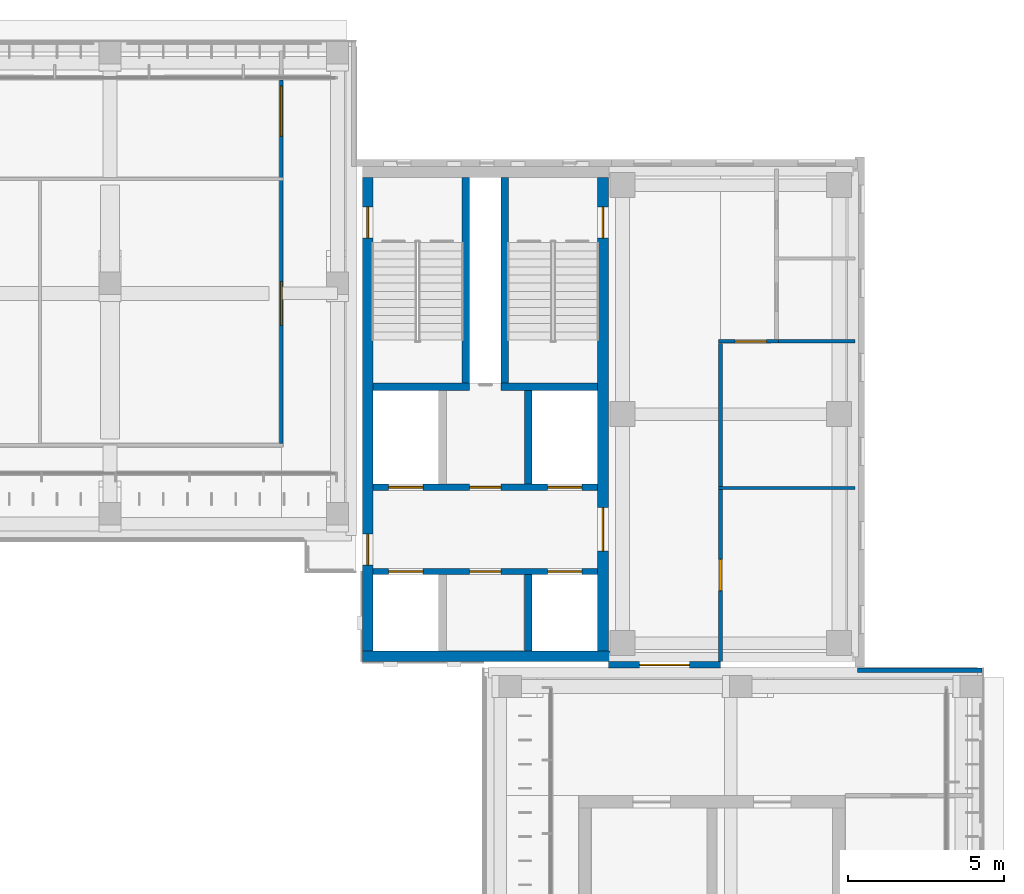
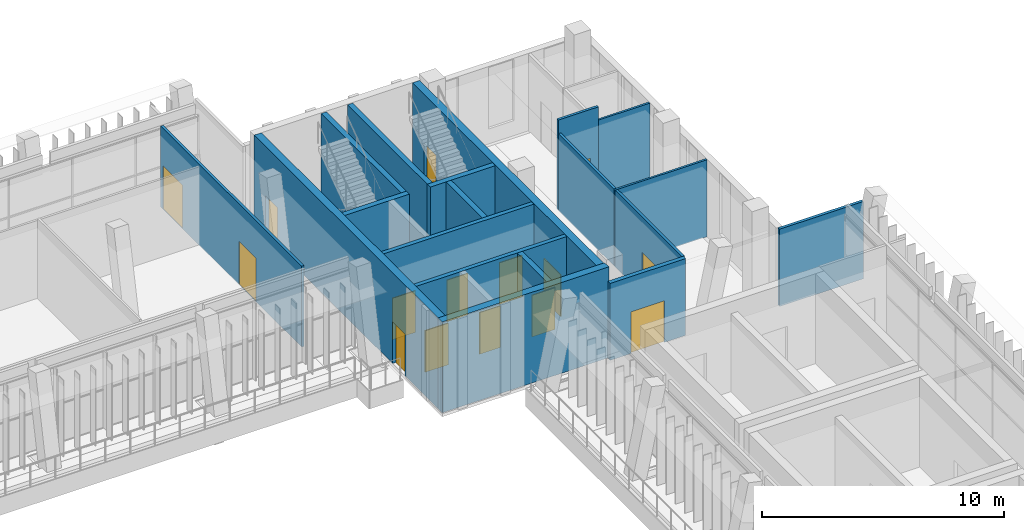
# One storey, part 50 of 74: 18 walls, 15 doors, 15 openings.
"""IFC4 building model written with IfcOpenShell, lengths in metres."""

from ifc_helpers import new_model, si_unit, direction, frame, frame_2d, origin, place, context, subcontext, project, spatial, rectangle, extrude, material, layer, layer_set, type_object, element, fill, save


model = new_model("IFC4")

# Units and contexts
model_context = context("Model", 3, precision=1e-05, world=origin(), true_north=direction((0.0, 1.0)))
body_context = subcontext(model_context, "Body", "Model", "MODEL_VIEW")
ifc_project = project(units=[si_unit("LENGTHUNIT", "METRE"), si_unit("AREAUNIT", "SQUARE_METRE"), si_unit("VOLUMEUNIT", "CUBIC_METRE"), si_unit("PLANEANGLEUNIT", "RADIAN"), si_unit("MASSUNIT", "GRAM", prefix="KILO")], contexts=[model_context])

# Site, building, storey
site_placement = place(None, origin())
site = spatial("IfcSite", under=ifc_project, at=site_placement, CompositionType="ELEMENT")
building_placement = place(site_placement, origin())
building = spatial("IfcBuilding", under=site, at=building_placement, Name="Lantern Court Media Centre", CompositionType="ELEMENT")
storey_placement = place(building_placement, frame((0.0, 0.0, 19.199951171875)))
storey = spatial("IfcBuildingStorey", under=building, at=storey_placement, Name="L04", CompositionType="ELEMENT", Elevation=19.199951171875)

# Wall, openings, doors
ifc_material_1 = material(Name="Gypsum board partition")
ifc_layer_1 = layer(ifc_material_1, 0.125)
ifc_layer_set_1 = layer_set([ifc_layer_1], Name="Gypsum board partition")
wall_type_1 = type_object("IfcWallType", Name="Corridor partition 125", PredefinedType="PARTITIONING", material=ifc_layer_set_1)
wall_1_placement = place(storey_placement, frame((77.5, 103.112548828125, 0.0), z_axis=(0.0, 0.0, 1.0), x_axis=(0.0, 1.0, 0.0)))
wall_1 = element("IfcWall", 1, at=wall_1_placement, inside=storey, type_object=wall_type_1, Name="L04 partition 003", PredefinedType="PARTITIONING", context=body_context, shape_type="SweptSolid", body=[
    extrude(rectangle(XDim=11.657470703125, YDim=0.125, at=frame_2d((5.82861328125, 0.0))), origin(), (0.0, 0.0, 1.0), 4.080078125),
])
opening_1_placement = place(wall_1_placement, frame((9.859619140625, 0.0, 0.0)))
opening_1 = element("IfcOpeningElement", 2, at=opening_1_placement, cuts=wall_1, Name="Opening L04-009", PredefinedType="OPENING", context=body_context, shape_type="SweptSolid", body=[
    extrude(rectangle(XDim=1.60009765625, YDim=2.199951171875, at=frame_2d((0.800048828125, 1.10009765625))), frame((0.0, 0.072509765625, 0.0), z_axis=(0.0, -1.0, 0.0), x_axis=(1.0, 0.0, 0.0)), (0.0, 0.0, 1.0), 0.14501953125),
])
opening_2_placement = place(wall_1_placement, frame((3.78759765625, 0.0, 0.0)))
opening_2 = element("IfcOpeningElement", 3, at=opening_2_placement, cuts=wall_1, Name="Opening L04-013", PredefinedType="OPENING", context=body_context, shape_type="SweptSolid", body=[
    extrude(rectangle(XDim=1.39990234375, YDim=2.199951171875, at=frame_2d((0.699951171875, 1.10009765625))), frame((0.0, 0.072509765625, 0.0), z_axis=(0.0, -1.0, 0.0), x_axis=(1.0, 0.0, 0.0)), (0.0, 0.0, 1.0), 0.14501953125),
])
ifc_material_2 = material(Name="Solid-core timber door leaf", Category="wood")
door_type_1 = type_object("IfcDoorType", Name="Double door 1400x2200", OperationType="NOTDEFINED", PredefinedType="DOOR", material=ifc_material_2)
door_1_placement = place(opening_2_placement, origin())
door_1 = element("IfcDoor", 4, at=door_1_placement, inside=storey, type_object=door_type_1, Name="L04 Conference Room 01 door", OperationType="DOUBLE_DOOR_SINGLE_SWING", OverallHeight=2.199951171875, OverallWidth=1.39990234375, PredefinedType="DOOR", context=body_context, shape_type="SweptSolid", body=[
    extrude(rectangle(XDim=1.39990234375, YDim=2.199951171875, at=frame_2d((0.699951171875, 1.10009765625))), frame((0.0, 0.02490234375, 0.0), z_axis=(0.0, -1.0, 0.0), x_axis=(1.0, 0.0, 0.0)), (0.0, 0.0, 1.0), 0.050048828125),
])
fill(opening_2, door_1)
door_type_2 = type_object("IfcDoorType", Name="Double door 1600x2200", OperationType="NOTDEFINED", PredefinedType="DOOR", material=ifc_material_2)
door_2_placement = place(opening_1_placement, frame((1.60009765625, 0.0, 0.0), z_axis=(0.0, 0.0, 1.0), x_axis=(-1.0, 0.0, 0.0)))
door_2 = element("IfcDoor", 5, at=door_2_placement, inside=storey, type_object=door_type_2, Name="L04 Preview Theatre Foyer door", OperationType="DOUBLE_DOOR_SINGLE_SWING", OverallHeight=2.199951171875, OverallWidth=1.60009765625, PredefinedType="DOOR", context=body_context, shape_type="SweptSolid", body=[
    extrude(rectangle(XDim=1.60009765625, YDim=2.199951171875, at=frame_2d((0.800048828125, 1.10009765625))), frame((0.0, 0.02490234375, 0.0), z_axis=(0.0, -1.0, 0.0), x_axis=(1.0, 0.0, 0.0)), (0.0, 0.0, 1.0), 0.050048828125),
])
fill(opening_1, door_2)

# Wall, opening, door
wall_2_placement = place(storey_placement, frame((91.60009765625, 96.10009765625, 0.0), z_axis=(0.0, 0.0, 1.0), x_axis=(0.0, 1.0, 0.0)))
wall_2 = element("IfcWall", 6, at=wall_2_placement, inside=storey, type_object=wall_type_1, Name="L04 partition 049", PredefinedType="PARTITIONING", context=body_context, shape_type="SweptSolid", body=[
    extrude(rectangle(XDim=10.22314453125, YDim=0.125, at=frame_2d((5.111572265625, 0.0))), origin(), (0.0, 0.0, 1.0), 3.880126953125),
])
opening_3_placement = place(wall_2_placement, frame((2.28564453125, 0.0, 0.0)))
opening_3 = element("IfcOpeningElement", 7, at=opening_3_placement, cuts=wall_2, Name="Opening L04-042", PredefinedType="OPENING", context=body_context, shape_type="SweptSolid", body=[
    extrude(rectangle(XDim=1.0, YDim=2.10009765625, at=frame_2d((0.5, 1.050048828125))), frame((0.0, 0.072509765625, 0.0), z_axis=(0.0, -1.0, 0.0), x_axis=(1.0, 0.0, 0.0)), (0.0, 0.0, 1.0), 0.14501953125),
])
door_type_3 = type_object("IfcDoorType", Name="Single door 1000x2100", OperationType="NOTDEFINED", PredefinedType="DOOR", material=ifc_material_2)
door_3_placement = place(opening_3_placement, frame((1.0, 0.0, 0.0), z_axis=(0.0, 0.0, 1.0), x_axis=(-1.0, 0.0, 0.0)))
door_3 = element("IfcDoor", 8, at=door_3_placement, inside=storey, type_object=door_type_3, Name="L04 Engineering Workshop door", OperationType="SINGLE_SWING_LEFT", OverallHeight=2.10009765625, OverallWidth=1.0, PredefinedType="DOOR", context=body_context, shape_type="SweptSolid", body=[
    extrude(rectangle(XDim=1.0, YDim=2.10009765625, at=frame_2d((0.5, 1.050048828125))), frame((0.0, 0.02490234375, 0.0), z_axis=(0.0, -1.0, 0.0), x_axis=(1.0, 0.0, 0.0)), (0.0, 0.0, 1.0), 0.050048828125),
])
fill(opening_3, door_3)

wall_3_placement = place(storey_placement, frame((91.53759765625, 106.385986328125, 0.0), z_axis=(0.0, 0.0, 1.0), x_axis=(1.0, 0.0, 0.0)))
wall_3 = element("IfcWall", 9, at=wall_3_placement, inside=storey, type_object=wall_type_1, Name="L04 partition 061", PredefinedType="PARTITIONING", context=body_context, shape_type="SweptSolid", body=[
    extrude(rectangle(XDim=1.9248046875, YDim=0.125, at=frame_2d((0.96240234375, 0.0))), origin(), (0.0, 0.0, 1.0), 4.56005859375),
])
opening_4_placement = place(wall_3_placement, frame((0.53515625, 0.0, 0.0)))
opening_4 = element("IfcOpeningElement", 10, at=opening_4_placement, cuts=wall_3, Name="Opening L04-041", PredefinedType="OPENING", context=body_context, shape_type="SweptSolid", body=[
    extrude(rectangle(XDim=1.0, YDim=2.10009765625, at=frame_2d((0.5, 1.050048828125))), frame((0.0, 0.072509765625, 0.0), z_axis=(0.0, -1.0, 0.0), x_axis=(1.0, 0.0, 0.0)), (0.0, 0.0, 1.0), 0.14501953125),
])
door_4_placement = place(opening_4_placement, frame((1.0, 0.0, 0.0), z_axis=(0.0, 0.0, 1.0), x_axis=(-1.0, 0.0, 0.0)))
door_4 = element("IfcDoor", 11, at=door_4_placement, inside=storey, type_object=door_type_3, Name="L04 Broadcast Programming Office 05 door", OperationType="SINGLE_SWING_RIGHT", OverallHeight=2.10009765625, OverallWidth=1.0, PredefinedType="DOOR", context=body_context, shape_type="SweptSolid", body=[
    extrude(rectangle(XDim=1.0, YDim=2.10009765625, at=frame_2d((0.5, 1.050048828125))), frame((0.0, 0.02490234375, 0.0), z_axis=(0.0, -1.0, 0.0), x_axis=(1.0, 0.0, 0.0)), (0.0, 0.0, 1.0), 0.050048828125),
])
fill(opening_4, door_4)

# Wall, openings, doors
ifc_material_3 = material(Name="Concrete C40", Category="concrete")
ifc_layer_2 = layer(ifc_material_3, 0.199951171875)
ifc_layer_set_2 = layer_set([ifc_layer_2], Name="Concrete C40")
wall_type_2 = type_object("IfcWallType", Name="Fire lobby wall 200", PredefinedType="SOLIDWALL", material=ifc_layer_set_2)
wall_4_placement = place(storey_placement, frame((87.64990234375, 101.699951171875, 0.0), z_axis=(0.0, 0.0, 1.0), x_axis=(-1.0, 0.0, 0.0)))
wall_4 = element("IfcWall", 12, at=wall_4_placement, inside=storey, type_object=wall_type_2, Name="L04 NE FW1", PredefinedType="SOLIDWALL", context=body_context, shape_type="SweptSolid", body=[
    extrude(rectangle(XDim=7.199951171875, YDim=0.199951171875, at=frame_2d((3.60009765625, 0.0))), origin(), (0.0, 0.0, 1.0), 4.550048828125),
])
opening_5_placement = place(wall_4_placement, frame((0.5, 0.0, 0.0)))
opening_5 = element("IfcOpeningElement", 13, at=opening_5_placement, cuts=wall_4, Name="Opening LD-NEFF-L04", PredefinedType="OPENING", context=body_context, shape_type="SweptSolid", body=[
    extrude(rectangle(XDim=1.10009765625, YDim=2.10009765625, at=frame_2d((0.550048828125, 1.050048828125))), frame((0.0, 0.10986328125, 0.0), z_axis=(0.0, -1.0, 0.0), x_axis=(1.0, 0.0, 0.0)), (0.0, 0.0, 1.0), 0.219970703125),
])
opening_6_placement = place(wall_4_placement, frame((5.60009765625, 0.0, 0.0)))
opening_6 = element("IfcOpeningElement", 14, at=opening_6_placement, cuts=wall_4, Name="Opening LD-NEP1-L04", PredefinedType="OPENING", context=body_context, shape_type="SweptSolid", body=[
    extrude(rectangle(XDim=1.10009765625, YDim=2.10009765625, at=frame_2d((0.550048828125, 1.050048828125))), frame((0.0, 0.10986328125, 0.0), z_axis=(0.0, -1.0, 0.0), x_axis=(1.0, 0.0, 0.0)), (0.0, 0.0, 1.0), 0.219970703125),
])
opening_7_placement = place(wall_4_placement, frame((3.10009765625, 0.0, 0.0)))
opening_7 = element("IfcOpeningElement", 15, at=opening_7_placement, cuts=wall_4, Name="Opening NE-L04-03", PredefinedType="OPENING", context=body_context, shape_type="SweptSolid", body=[
    extrude(rectangle(XDim=1.0, YDim=2.10009765625, at=frame_2d((0.5, 1.050048828125))), frame((0.0, 0.10986328125, 0.0), z_axis=(0.0, -1.0, 0.0), x_axis=(1.0, 0.0, 0.0)), (0.0, 0.0, 1.0), 0.219970703125),
])
ifc_material_4 = material(Name="Steel door leaf", Category="steel")
door_type_4 = type_object("IfcDoorType", Name="Lift landing door 1100x2100", OperationType="DOUBLE_DOOR_SLIDING", PredefinedType="DOOR", material=ifc_material_4)
door_5_placement = place(opening_5_placement, origin())
door_5 = element("IfcDoor", 16, at=door_5_placement, inside=storey, type_object=door_type_4, Name="L04 NE lift FF landing door", OperationType="DOUBLE_DOOR_SLIDING", OverallHeight=2.10009765625, OverallWidth=1.10009765625, PredefinedType="DOOR", context=body_context, shape_type="SweptSolid", body=[
    extrude(rectangle(XDim=1.10009765625, YDim=2.10009765625, at=frame_2d((0.550048828125, 1.050048828125))), frame((0.0, 0.02490234375, 0.0), z_axis=(0.0, -1.0, 0.0), x_axis=(1.0, 0.0, 0.0)), (0.0, 0.0, 1.0), 0.050048828125),
])
fill(opening_5, door_5)
door_6_placement = place(opening_6_placement, origin())
door_6 = element("IfcDoor", 17, at=door_6_placement, inside=storey, type_object=door_type_4, Name="L04 NE lift P1 landing door", OperationType="DOUBLE_DOOR_SLIDING", OverallHeight=2.10009765625, OverallWidth=1.10009765625, PredefinedType="DOOR", context=body_context, shape_type="SweptSolid", body=[
    extrude(rectangle(XDim=1.10009765625, YDim=2.10009765625, at=frame_2d((0.550048828125, 1.050048828125))), frame((0.0, 0.02490234375, 0.0), z_axis=(0.0, -1.0, 0.0), x_axis=(1.0, 0.0, 0.0)), (0.0, 0.0, 1.0), 0.050048828125),
])
fill(opening_6, door_6)
door_type_5 = type_object("IfcDoorType", Name="Service door 1000x2100", OperationType="NOTDEFINED", PredefinedType="DOOR", material=ifc_material_4)
door_7_placement = place(opening_7_placement, origin())
door_7 = element("IfcDoor", 18, at=door_7_placement, inside=storey, type_object=door_type_5, Name="L04 NE services riser door", OperationType="SINGLE_SWING_LEFT", OverallHeight=2.10009765625, OverallWidth=1.0, PredefinedType="DOOR", context=body_context, shape_type="SweptSolid", body=[
    extrude(rectangle(XDim=1.0, YDim=2.10009765625, at=frame_2d((0.5, 1.050048828125))), frame((0.0, 0.02490234375, 0.0), z_axis=(0.0, -1.0, 0.0), x_axis=(1.0, 0.0, 0.0)), (0.0, 0.0, 1.0), 0.050048828125),
])
fill(opening_7, door_7)

wall_5_placement = place(storey_placement, frame((87.64990234375, 99.0, 0.0), z_axis=(0.0, 0.0, 1.0), x_axis=(-1.0, 0.0, 0.0)))
wall_5 = element("IfcWall", 19, at=wall_5_placement, inside=storey, type_object=wall_type_2, Name="L04 NE FW2", PredefinedType="SOLIDWALL", context=body_context, shape_type="SweptSolid", body=[
    extrude(rectangle(XDim=7.199951171875, YDim=0.199951171875, at=frame_2d((3.60009765625, 0.0))), origin(), (0.0, 0.0, 1.0), 4.550048828125),
])
opening_8_placement = place(wall_5_placement, frame((0.5, 0.0, 0.0)))
opening_8 = element("IfcOpeningElement", 20, at=opening_8_placement, cuts=wall_5, Name="Opening LD-NEP2-L04", PredefinedType="OPENING", context=body_context, shape_type="SweptSolid", body=[
    extrude(rectangle(XDim=1.10009765625, YDim=2.10009765625, at=frame_2d((0.550048828125, 1.050048828125))), frame((0.0, 0.10986328125, 0.0), z_axis=(0.0, -1.0, 0.0), x_axis=(1.0, 0.0, 0.0)), (0.0, 0.0, 1.0), 0.219970703125),
])
opening_9_placement = place(wall_5_placement, frame((5.60009765625, 0.0, 0.0)))
opening_9 = element("IfcOpeningElement", 21, at=opening_9_placement, cuts=wall_5, Name="Opening LD-NEP3-L04", PredefinedType="OPENING", context=body_context, shape_type="SweptSolid", body=[
    extrude(rectangle(XDim=1.10009765625, YDim=2.10009765625, at=frame_2d((0.550048828125, 1.050048828125))), frame((0.0, 0.10986328125, 0.0), z_axis=(0.0, -1.0, 0.0), x_axis=(1.0, 0.0, 0.0)), (0.0, 0.0, 1.0), 0.219970703125),
])
opening_10_placement = place(wall_5_placement, frame((3.10009765625, 0.0, 0.0)))
opening_10 = element("IfcOpeningElement", 22, at=opening_10_placement, cuts=wall_5, Name="Opening NE-L04-04", PredefinedType="OPENING", context=body_context, shape_type="SweptSolid", body=[
    extrude(rectangle(XDim=1.0, YDim=2.10009765625, at=frame_2d((0.5, 1.050048828125))), frame((0.0, 0.10986328125, 0.0), z_axis=(0.0, -1.0, 0.0), x_axis=(1.0, 0.0, 0.0)), (0.0, 0.0, 1.0), 0.219970703125),
])
door_8_placement = place(opening_8_placement, frame((1.10009765625, 0.0, 0.0), z_axis=(0.0, 0.0, 1.0), x_axis=(-1.0, 0.0, 0.0)))
door_8 = element("IfcDoor", 23, at=door_8_placement, inside=storey, type_object=door_type_4, Name="L04 NE lift P2 landing door", OperationType="DOUBLE_DOOR_SLIDING", OverallHeight=2.10009765625, OverallWidth=1.10009765625, PredefinedType="DOOR", context=body_context, shape_type="SweptSolid", body=[
    extrude(rectangle(XDim=1.10009765625, YDim=2.10009765625, at=frame_2d((0.550048828125, 1.050048828125))), frame((0.0, 0.02490234375, 0.0), z_axis=(0.0, -1.0, 0.0), x_axis=(1.0, 0.0, 0.0)), (0.0, 0.0, 1.0), 0.050048828125),
])
fill(opening_8, door_8)
door_9_placement = place(opening_9_placement, frame((1.10009765625, 0.0, 0.0), z_axis=(0.0, 0.0, 1.0), x_axis=(-1.0, 0.0, 0.0)))
door_9 = element("IfcDoor", 24, at=door_9_placement, inside=storey, type_object=door_type_4, Name="L04 NE lift P3 landing door", OperationType="DOUBLE_DOOR_SLIDING", OverallHeight=2.10009765625, OverallWidth=1.10009765625, PredefinedType="DOOR", context=body_context, shape_type="SweptSolid", body=[
    extrude(rectangle(XDim=1.10009765625, YDim=2.10009765625, at=frame_2d((0.550048828125, 1.050048828125))), frame((0.0, 0.02490234375, 0.0), z_axis=(0.0, -1.0, 0.0), x_axis=(1.0, 0.0, 0.0)), (0.0, 0.0, 1.0), 0.050048828125),
])
fill(opening_9, door_9)
door_10_placement = place(opening_10_placement, frame((1.0, 0.0, 0.0), z_axis=(0.0, 0.0, 1.0), x_axis=(-1.0, 0.0, 0.0)))
door_10 = element("IfcDoor", 25, at=door_10_placement, inside=storey, type_object=door_type_5, Name="L04 NE accessible WC door", OperationType="SINGLE_SWING_RIGHT", OverallHeight=2.10009765625, OverallWidth=1.0, PredefinedType="DOOR", context=body_context, shape_type="SweptSolid", body=[
    extrude(rectangle(XDim=1.0, YDim=2.10009765625, at=frame_2d((0.5, 1.050048828125))), frame((0.0, 0.02490234375, 0.0), z_axis=(0.0, -1.0, 0.0), x_axis=(1.0, 0.0, 0.0)), (0.0, 0.0, 1.0), 0.050048828125),
])
fill(opening_10, door_10)

# Wall
ifc_material_5 = material(Name="Honed limestone cladding on blockwork", Category="masonry")
ifc_layer_3 = layer(ifc_material_5, 0.139892578125)
ifc_layer_set_3 = layer_set([ifc_layer_3], Name="Honed limestone cladding on blockwork")
wall_type_3 = type_object("IfcWallType", Name="Limestone closure wall 140", PredefinedType="SOLIDWALL", material=ifc_layer_set_3)
wall_6_placement = place(storey_placement, frame((96.0, 95.830078125, 0.0), z_axis=(0.0, 0.0, 1.0), x_axis=(1.0, 0.0, 0.0)))
element("IfcWall", 26, at=wall_6_placement, inside=storey, type_object=wall_type_3, Name="Limestone closure wall E-NE L04", PredefinedType="SOLIDWALL", context=body_context, shape_type="SweptSolid", body=[
    extrude(rectangle(XDim=4.0, YDim=0.139892578125, at=frame_2d((2.0, 0.0))), origin(), (0.0, 0.0, 1.0), 3.900146484375),
])

# Wall, opening, door
ifc_material_6 = material(Name="Fire-rated gypsum board")
ifc_layer_4 = layer(ifc_material_6, 0.199951171875)
ifc_layer_set_4 = layer_set([ifc_layer_4], Name="Fire-rated gypsum board")
wall_type_4 = type_object("IfcWallType", Name="Movement-joint compartment wall 200", PredefinedType="PARTITIONING", material=ifc_layer_set_4)
wall_7_placement = place(storey_placement, frame((88.0, 96.0, 0.0), z_axis=(0.0, 0.0, 1.0), x_axis=(1.0, 0.0, 0.0)))
wall_7 = element("IfcWall", 27, at=wall_7_placement, inside=storey, type_object=wall_type_4, Name="L04 movement-joint wall 18", PredefinedType="PARTITIONING", context=body_context, shape_type="SweptSolid", body=[
    extrude(rectangle(XDim=3.60009765625, YDim=0.199951171875, at=frame_2d((1.800048828125, 0.0))), origin(), (0.0, 0.0, 1.0), 3.880126953125),
])
opening_11_placement = place(wall_7_placement, frame((1.0, 0.0, 0.0)))
opening_11 = element("IfcOpeningElement", 28, at=opening_11_placement, cuts=wall_7, Name="Opening L04-J18", PredefinedType="OPENING", context=body_context, shape_type="SweptSolid", body=[
    extrude(rectangle(XDim=1.60009765625, YDim=2.10009765625, at=frame_2d((0.800048828125, 1.050048828125))), frame((0.0, 0.10986328125, 0.0), z_axis=(0.0, -1.0, 0.0), x_axis=(1.0, 0.0, 0.0)), (0.0, 0.0, 1.0), 0.219970703125),
])
door_type_6 = type_object("IfcDoorType", Name="Movement-joint fire door pair 1600x2100", OperationType="NOTDEFINED", PredefinedType="DOOR", material=ifc_material_4)
door_11_placement = place(opening_11_placement, origin())
door_11 = element("IfcDoor", 29, at=door_11_placement, inside=storey, type_object=door_type_6, Name="L04 bar end lobby door 18", OperationType="DOUBLE_DOOR_SINGLE_SWING", OverallHeight=2.10009765625, OverallWidth=1.60009765625, PredefinedType="DOOR", context=body_context, shape_type="SweptSolid", body=[
    extrude(rectangle(XDim=1.60009765625, YDim=2.10009765625, at=frame_2d((0.800048828125, 1.050048828125))), frame((0.0, 0.02490234375, 0.0), z_axis=(0.0, -1.0, 0.0), x_axis=(1.0, 0.0, 0.0)), (0.0, 0.0, 1.0), 0.050048828125),
])
fill(opening_11, door_11)

# Walls
ifc_layer_5 = layer(ifc_material_1, 0.10009765625)
ifc_layer_set_5 = layer_set([ifc_layer_5], Name="Gypsum board partition")
wall_type_5 = type_object("IfcWallType", Name="Partition 100", PredefinedType="PARTITIONING", material=ifc_layer_set_5)
wall_8_placement = place(storey_placement, frame((91.53759765625, 101.6708984375, 0.0), z_axis=(0.0, 0.0, 1.0), x_axis=(1.0, 0.0, 0.0)))
element("IfcWall", 30, at=wall_8_placement, inside=storey, type_object=wall_type_5, Name="L04 partition 060", PredefinedType="PARTITIONING", context=body_context, shape_type="SweptSolid", body=[
    extrude(rectangle(XDim=4.38232421875, YDim=0.10009765625, at=frame_2d((2.191162109375, 0.0))), origin(), (0.0, 0.0, 1.0), 3.880126953125),
])
wall_9_placement = place(storey_placement, frame((93.33740234375, 106.385986328125, 0.0), z_axis=(0.0, 0.0, 1.0), x_axis=(1.0, 0.0, 0.0)))
element("IfcWall", 31, at=wall_9_placement, inside=storey, type_object=wall_type_5, Name="L04 partition 062", PredefinedType="PARTITIONING", context=body_context, shape_type="SweptSolid", body=[
    extrude(rectangle(XDim=2.58251953125, YDim=0.10009765625, at=frame_2d((1.291259765625, 0.0))), origin(), (0.0, 0.0, 1.0), 3.880126953125),
])
ifc_layer_6 = layer(ifc_material_3, 0.35009765625)
ifc_layer_set_6 = layer_set([ifc_layer_6], Name="Concrete C40")
wall_type_6 = type_object("IfcWallType", Name="RC CORE WALL 350", PredefinedType="SHEAR", material=ifc_layer_set_6)
wall_10_placement = place(storey_placement, frame((80.10009765625, 96.27490234375, 0.0), z_axis=(0.0, 0.0, 1.0), x_axis=(1.0, 0.0, 0.0)))
element("IfcWall", 32, at=wall_10_placement, inside=storey, type_object=wall_type_6, Name="WC-NE-L04-S", PredefinedType="SHEAR", context=body_context, shape_type="SweptSolid", body=[
    extrude(rectangle(XDim=7.949951171875, YDim=0.35009765625, at=frame_2d((3.97509765625, 0.0))), origin(), (0.0, 0.0, 1.0), 4.580078125),
])

# Wall, openings, doors
wall_11_placement = place(storey_placement, frame((80.27490234375, 96.449951171875, 0.0), z_axis=(0.0, 0.0, 1.0), x_axis=(0.0, 1.0, 0.0)))
wall_11 = element("IfcWall", 33, at=wall_11_placement, inside=storey, type_object=wall_type_6, Name="WC-NE-L04-W", PredefinedType="SHEAR", context=body_context, shape_type="SweptSolid", body=[
    extrude(rectangle(XDim=15.199951171875, YDim=0.35009765625, at=frame_2d((7.60009765625, 0.0))), origin(), (0.0, 0.0, 1.0), 4.580078125),
])
opening_12_placement = place(wall_11_placement, frame((13.25, 0.0, 0.0)))
opening_12 = element("IfcOpeningElement", 34, at=opening_12_placement, cuts=wall_11, Name="Opening NE-L04-02", PredefinedType="OPENING", context=body_context, shape_type="SweptSolid", body=[
    extrude(rectangle(XDim=1.0, YDim=2.10009765625, at=frame_2d((0.5, 1.050048828125))), frame((0.0, 0.18505859375, 0.0), z_axis=(0.0, -1.0, 0.0), x_axis=(1.0, 0.0, 0.0)), (0.0, 0.0, 1.0), 0.3701171875),
])
opening_13_placement = place(wall_11_placement, frame((2.75, 0.0, 0.0)))
opening_13 = element("IfcOpeningElement", 35, at=opening_13_placement, cuts=wall_11, Name="Opening NE-L04-06", PredefinedType="OPENING", context=body_context, shape_type="SweptSolid", body=[
    extrude(rectangle(XDim=1.0, YDim=2.10009765625, at=frame_2d((0.5, 1.050048828125))), frame((0.0, 0.18505859375, 0.0), z_axis=(0.0, -1.0, 0.0), x_axis=(1.0, 0.0, 0.0)), (0.0, 0.0, 1.0), 0.3701171875),
])
door_type_7 = type_object("IfcDoorType", Name="Lift lobby single door 1000x2100", OperationType="NOTDEFINED", PredefinedType="DOOR", material=ifc_material_4)
door_12_placement = place(opening_13_placement, origin())
door_12 = element("IfcDoor", 36, at=door_12_placement, inside=storey, type_object=door_type_7, Name="L04 NE lift lobby east door", OperationType="SINGLE_SWING_RIGHT", OverallHeight=2.10009765625, OverallWidth=1.0, PredefinedType="DOOR", context=body_context, shape_type="SweptSolid", body=[
    extrude(rectangle(XDim=1.0, YDim=2.10009765625, at=frame_2d((0.5, 1.050048828125))), frame((0.0, 0.02490234375, 0.0), z_axis=(0.0, -1.0, 0.0), x_axis=(1.0, 0.0, 0.0)), (0.0, 0.0, 1.0), 0.050048828125),
])
fill(opening_13, door_12)
door_type_8 = type_object("IfcDoorType", Name="Stair door 1000x2100", OperationType="NOTDEFINED", PredefinedType="DOOR", material=ifc_material_4)
door_13_placement = place(opening_12_placement, origin())
door_13 = element("IfcDoor", 37, at=door_13_placement, inside=storey, type_object=door_type_8, Name="L04 NE stair B door", OperationType="SINGLE_SWING_RIGHT", OverallHeight=2.10009765625, OverallWidth=1.0, PredefinedType="DOOR", context=body_context, shape_type="SweptSolid", body=[
    extrude(rectangle(XDim=1.0, YDim=2.10009765625, at=frame_2d((0.5, 1.050048828125))), frame((0.0, 0.02490234375, 0.0), z_axis=(0.0, -1.0, 0.0), x_axis=(1.0, 0.0, 0.0)), (0.0, 0.0, 1.0), 0.050048828125),
])
fill(opening_12, door_13)

wall_12_placement = place(storey_placement, frame((87.824951171875, 96.449951171875, 0.0), z_axis=(0.0, 0.0, 1.0), x_axis=(0.0, 1.0, 0.0)))
wall_12 = element("IfcWall", 38, at=wall_12_placement, inside=storey, type_object=wall_type_6, Name="WC-NE-L04-E", PredefinedType="SHEAR", context=body_context, shape_type="SweptSolid", body=[
    extrude(rectangle(XDim=15.199951171875, YDim=0.35009765625, at=frame_2d((7.60009765625, 0.0))), origin(), (0.0, 0.0, 1.0), 4.580078125),
])
opening_14_placement = place(wall_12_placement, frame((13.25, 0.0, 0.0)))
opening_14 = element("IfcOpeningElement", 39, at=opening_14_placement, cuts=wall_12, Name="Opening NE-L04-01", PredefinedType="OPENING", context=body_context, shape_type="SweptSolid", body=[
    extrude(rectangle(XDim=1.0, YDim=2.10009765625, at=frame_2d((0.5, 1.050048828125))), frame((0.0, 0.18505859375, 0.0), z_axis=(0.0, -1.0, 0.0), x_axis=(1.0, 0.0, 0.0)), (0.0, 0.0, 1.0), 0.3701171875),
])
opening_15_placement = place(wall_12_placement, frame((3.199951171875, 0.0, 0.0)))
opening_15 = element("IfcOpeningElement", 40, at=opening_15_placement, cuts=wall_12, Name="Opening NE-L04-05", PredefinedType="OPENING", context=body_context, shape_type="SweptSolid", body=[
    extrude(rectangle(XDim=1.39990234375, YDim=2.10009765625, at=frame_2d((0.699951171875, 1.050048828125))), frame((0.0, 0.18505859375, 0.0), z_axis=(0.0, -1.0, 0.0), x_axis=(1.0, 0.0, 0.0)), (0.0, 0.0, 1.0), 0.3701171875),
])
door_type_9 = type_object("IfcDoorType", Name="Lift lobby double door 1400x2100", OperationType="NOTDEFINED", PredefinedType="DOOR", material=ifc_material_4)
door_14_placement = place(opening_15_placement, frame((1.39990234375, 0.0, 0.0), z_axis=(0.0, 0.0, 1.0), x_axis=(-1.0, 0.0, 0.0)))
door_14 = element("IfcDoor", 41, at=door_14_placement, inside=storey, type_object=door_type_9, Name="L04 NE lift lobby west door", OperationType="SINGLE_SWING_LEFT", OverallHeight=2.10009765625, OverallWidth=1.39990234375, PredefinedType="DOOR", context=body_context, shape_type="SweptSolid", body=[
    extrude(rectangle(XDim=1.39990234375, YDim=2.10009765625, at=frame_2d((0.699951171875, 1.050048828125))), frame((0.0, 0.02490234375, 0.0), z_axis=(0.0, -1.0, 0.0), x_axis=(1.0, 0.0, 0.0)), (0.0, 0.0, 1.0), 0.050048828125),
])
fill(opening_15, door_14)
door_15_placement = place(opening_14_placement, frame((1.0, 0.0, 0.0), z_axis=(0.0, 0.0, 1.0), x_axis=(-1.0, 0.0, 0.0)))
door_15 = element("IfcDoor", 42, at=door_15_placement, inside=storey, type_object=door_type_8, Name="L04 NE stair A door", OperationType="SINGLE_SWING_LEFT", OverallHeight=2.10009765625, OverallWidth=1.0, PredefinedType="DOOR", context=body_context, shape_type="SweptSolid", body=[
    extrude(rectangle(XDim=1.0, YDim=2.10009765625, at=frame_2d((0.5, 1.050048828125))), frame((0.0, 0.02490234375, 0.0), z_axis=(0.0, -1.0, 0.0), x_axis=(1.0, 0.0, 0.0)), (0.0, 0.0, 1.0), 0.050048828125),
])
fill(opening_14, door_15)

# Walls
ifc_layer_7 = layer(ifc_material_3, 0.25)
ifc_layer_set_7 = layer_set([ifc_layer_7], Name="Concrete C40")
wall_type_7 = type_object("IfcWallType", Name="RC lift shaft wall 250", PredefinedType="SOLIDWALL", material=ifc_layer_set_7)
wall_13_placement = place(storey_placement, frame((85.425048828125, 104.800048828125, 0.0), z_axis=(0.0, 0.0, 1.0), x_axis=(0.0, -1.0, 0.0)))
element("IfcWall", 43, at=wall_13_placement, inside=storey, type_object=wall_type_7, Name="L04 NE L1a", PredefinedType="SOLIDWALL", context=body_context, shape_type="SweptSolid", body=[
    extrude(rectangle(XDim=3.0, YDim=0.25, at=frame_2d((1.5, 0.0))), origin(), (0.0, 0.0, 1.0), 4.550048828125),
])
wall_14_placement = place(storey_placement, frame((85.425048828125, 98.89990234375, 0.0), z_axis=(0.0, 0.0, 1.0), x_axis=(0.0, -1.0, 0.0)))
element("IfcWall", 44, at=wall_14_placement, inside=storey, type_object=wall_type_7, Name="L04 NE L1b", PredefinedType="SOLIDWALL", context=body_context, shape_type="SweptSolid", body=[
    extrude(rectangle(XDim=2.449951171875, YDim=0.25, at=frame_2d((1.22509765625, 0.0))), origin(), (0.0, 0.0, 1.0), 4.550048828125),
])
ifc_layer_8 = layer(ifc_material_3, 0.25)
ifc_layer_set_8 = layer_set([ifc_layer_8], Name="Concrete C40")
wall_type_8 = type_object("IfcWallType", Name="RC stair shaft wall 250", PredefinedType="SOLIDWALL", material=ifc_layer_set_8)
for number, where, z_axis, x_axis, name in (
    (45, (84.675048828125, 111.64990234375, 0.0), (0.0, 0.0, 1.0), (0.0, -1.0, 0.0), "L04 NE SA"),
    (46, (83.425048828125, 111.64990234375, 0.0), (0.0, 0.0, 1.0), (0.0, -1.0, 0.0), "L04 NE SB"),
):
    element("IfcWall", number, at=place(storey_placement, frame(where, z_axis=z_axis, x_axis=x_axis)), inside=storey, type_object=wall_type_8, Name=name, PredefinedType="SOLIDWALL", context=body_context, shape_type="SweptSolid", body=[
        extrude(rectangle(XDim=6.599853515625, YDim=0.25, at=frame_2d((3.2998046875, 0.0))), origin(), (0.0, 0.0, 1.0), 4.550048828125),
    ])
wall_15_placement = place(storey_placement, frame((87.64990234375, 104.925048828125, 0.0), z_axis=(0.0, 0.0, 1.0), x_axis=(-1.0, 0.0, 0.0)))
element("IfcWall", 47, at=wall_15_placement, inside=storey, type_object=wall_type_8, Name="L04 NE SN1", PredefinedType="SOLIDWALL", context=body_context, shape_type="SweptSolid", body=[
    extrude(rectangle(XDim=3.099853515625, YDim=0.25, at=frame_2d((1.5498046875, 0.0))), origin(), (0.0, 0.0, 1.0), 4.550048828125),
])
wall_16_placement = place(storey_placement, frame((83.550048828125, 104.925048828125, 0.0), z_axis=(0.0, 0.0, 1.0), x_axis=(-1.0, 0.0, 0.0)))
element("IfcWall", 48, at=wall_16_placement, inside=storey, type_object=wall_type_8, Name="L04 NE SN2", PredefinedType="SOLIDWALL", context=body_context, shape_type="SweptSolid", body=[
    extrude(rectangle(XDim=3.10009765625, YDim=0.25, at=frame_2d((1.550048828125, 0.0))), origin(), (0.0, 0.0, 1.0), 4.550048828125),
])

save(model, "model.ifc")
